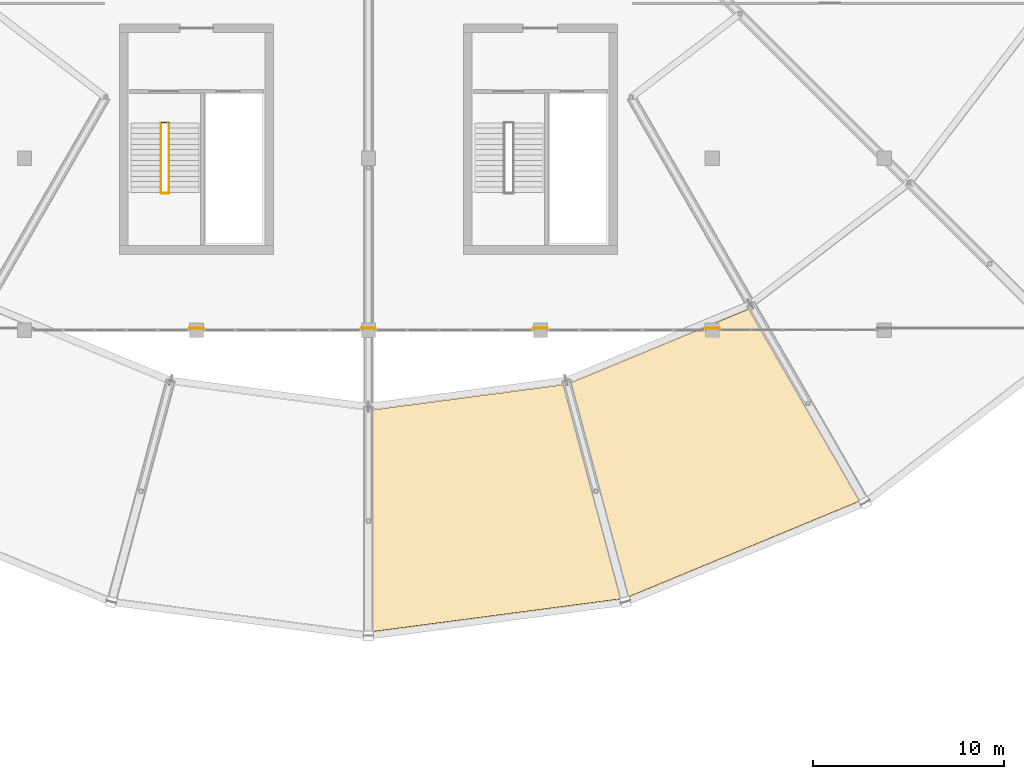
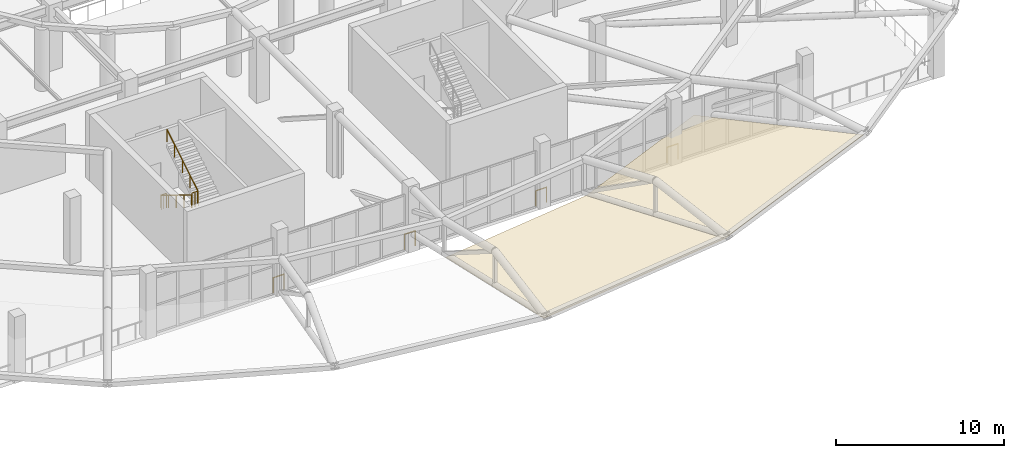
# One storey, part 152 of 167: 8 railings, 2 coverings.
"""IFC4 building model written with IfcOpenShell, lengths in metres."""

from ifc_helpers import new_model, si_unit, direction, frame, origin, origin_2d, place, context, subcontext, project, spatial, polyline, circle, outline, extrude, material, layer, layer_set, type_object, element, save


model = new_model("IFC4")

# Units and contexts
model_context = context("Model", 3, precision=1e-05, world=origin(), true_north=direction((0.0, 1.0)))
body_context = subcontext(model_context, "Body", "Model", "MODEL_VIEW")
ifc_project = project(units=[si_unit("LENGTHUNIT", "METRE"), si_unit("AREAUNIT", "SQUARE_METRE"), si_unit("VOLUMEUNIT", "CUBIC_METRE"), si_unit("PLANEANGLEUNIT", "RADIAN"), si_unit("MASSUNIT", "GRAM", prefix="KILO")], contexts=[model_context])

# Site, building, storey
site_placement = place(None, origin())
site = spatial("IfcSite", under=ifc_project, at=site_placement, CompositionType="ELEMENT")
building_placement = place(site_placement, origin())
building = spatial("IfcBuilding", under=site, at=building_placement, Name="Dornveld Trade and Exhibition Forum", CompositionType="ELEMENT")
storey_placement = place(building_placement, frame((0.0, 0.0, 16.800048828125)))
storey = spatial("IfcBuildingStorey", under=building, at=storey_placement, Name="L03", CompositionType="ELEMENT", Elevation=16.800048828125)

# Coverings
ifc_material_1 = material(Name="Acoustic perforated aluminium soffit panel", Category="aluminium")
ifc_layer = layer(ifc_material_1, 0.044921875)
ifc_layer_set = layer_set([ifc_layer], Name="Acoustic perforated aluminium soffit panel")
covering_type = type_object("IfcCoveringType", Name="COV-SOFFIT-DISC", PredefinedType="CEILING", material=ifc_layer_set)
covering_1_placement = place(storey_placement, frame((117.0, 40.800048828125, 1.9111328125), z_axis=(-0.029133938647, 0.221280443125, 0.97477493767), x_axis=(2.095e-09, -0.975188889038, 0.221374412922)))
element("IfcCovering", 1, at=covering_1_placement, inside=storey, type_object=covering_type, Name="Floating disc conical soffit panel 19", PredefinedType="CEILING", context=body_context, shape_type="SweptSolid", body=[
    extrude(outline(polyline([(0.0, 0.0), (11.89523176062862, 0.0), (10.173890072953098, 13.41243161295085), (-1.3358849529112242, 10.408959472635203), (0.0, 0.0)])), origin(), (0.0, 0.0, -1.0), 0.044921875),
])
covering_2_placement = place(storey_placement, frame((127.404541015625, 42.169921875, 1.9111328125), z_axis=(-0.085410312961, 0.206203115777, 0.974774514174), x_axis=(0.25238718951, -0.941962421802, 0.221376381949)))
element("IfcCovering", 2, at=covering_2_placement, inside=storey, type_object=covering_type, Name="Floating disc conical soffit panel 20", PredefinedType="CEILING", context=body_context, shape_type="SweptSolid", body=[
    extrude(outline(polyline([(0.0, 0.0), (11.895199285569515, -2.3592239273284576e-16), (10.173842295598652, 13.412482319061688), (-1.3357635300827977, 10.408974940773126), (0.0, 0.0)])), origin(), (0.0, 0.0, -1.0), 0.044921875),
])

# Railings
ifc_material_2 = material(Name="Dark-bronze steel and laminated glass balustrade", Category="steel")
railing_type_1 = type_object("IfcRailingType", Name="RL-BALUST-CONC", PredefinedType="BALUSTRADE", material=ifc_material_2)
for number, where, name in (
    (3, (135.37109375, 45.10009765625, 0.0), "L03 deck edge balustrade 193"),
    (4, (126.37109375, 45.10009765625, 0.0), "L03 deck edge balustrade 194"),
    (5, (117.37109375, 45.10009765625, 0.0), "L03 deck edge balustrade 195"),
    (6, (108.37109375, 45.10009765625, 0.0), "L03 deck edge balustrade 196"),
):
    element("IfcRailing", number, at=place(storey_placement, frame(where)), inside=storey, type_object=railing_type_1, Name=name, PredefinedType="BALUSTRADE", context=body_context, shape_type="SweptSolid", body=[
        extrude(circle(Radius=0.02490234375, at=origin_2d()), frame((0.0, 0.0, 1.09521484375), z_axis=(-1.0, 0.0, 0.0), x_axis=(0.0, -1.0, 0.0)), (0.0, 0.0, 1.0), 0.7421875),
        extrude(circle(Radius=0.02099609375, at=origin_2d()), origin(), (0.0, 0.0, 1.0), 1.070068359375),
        extrude(circle(Radius=0.02099609375, at=origin_2d()), frame((-0.7421875, 0.0, 0.0)), (0.0, 0.0, 1.0), 1.070068359375),
    ])
ifc_material_3 = material(Name="Brushed stainless steel handrail", Category="steel")
railing_type_2 = type_object("IfcRailingType", Name="RL-HAND-920", PredefinedType="HANDRAIL", material=ifc_material_3)
railing_1_placement = place(storey_placement, frame((106.139892578125, 55.85009765625, 0.17138671875)))
element("IfcRailing", 7, at=railing_1_placement, inside=storey, type_object=railing_type_2, Name="ST-06-L03 flight 1 handrail", PredefinedType="HANDRAIL", context=body_context, shape_type="SweptSolid", body=[
    extrude(circle(Radius=0.02099609375, at=origin_2d()), frame((0.0, 0.0, 0.89892578125), z_axis=(0.0, -0.852865859571, 0.52213008492), x_axis=(1.0, 0.0, 0.0)), (0.0, 0.0, 1.0), 4.26806640625),
    extrude(circle(Radius=0.01806640625, at=origin_2d()), origin(), (0.0, 0.0, 1.0), 0.8779296875),
    extrude(circle(Radius=0.01806640625, at=origin_2d()), frame((0.0, -0.91015625, 0.55712890625)), (0.0, 0.0, 1.0), 0.8779296875),
    extrude(circle(Radius=0.01806640625, at=origin_2d()), frame((0.0, -1.820068359375, 1.1142578125)), (0.0, 0.0, 1.0), 0.8779296875),
    extrude(circle(Radius=0.01806640625, at=origin_2d()), frame((0.0, -2.72998046875, 1.67138671875)), (0.0, 0.0, 1.0), 0.8779296875),
    extrude(circle(Radius=0.01806640625, at=origin_2d()), frame((0.0, -3.64013671875, 2.228515625)), (0.0, 0.0, 1.0), 0.8779296875),
])
railing_2_placement = place(storey_placement, frame((106.56005859375, 52.2099609375, 2.5712890625)))
element("IfcRailing", 8, at=railing_2_placement, inside=storey, type_object=railing_type_2, Name="ST-06-L03 flight 2 handrail", PredefinedType="HANDRAIL", context=body_context, shape_type="SweptSolid", body=[
    extrude(circle(Radius=0.02099609375, at=origin_2d()), frame((0.0, 0.0, 0.89892578125), z_axis=(0.0, 0.852840387347, 0.522171689878), x_axis=(-1.0, 0.0, 0.0)), (0.0, 0.0, 1.0), 4.268310546875),
    extrude(circle(Radius=0.01806640625, at=origin_2d()), origin(), (0.0, 0.0, 1.0), 0.8779296875),
    extrude(circle(Radius=0.01806640625, at=origin_2d()), frame((0.0, 0.91015625, 0.55712890625)), (0.0, 0.0, 1.0), 0.8779296875),
    extrude(circle(Radius=0.01806640625, at=origin_2d()), frame((0.0, 1.820068359375, 1.1142578125)), (0.0, 0.0, 1.0), 0.8779296875),
    extrude(circle(Radius=0.01806640625, at=origin_2d()), frame((0.0, 2.72998046875, 1.671630859375)), (0.0, 0.0, 1.0), 0.8779296875),
    extrude(circle(Radius=0.01806640625, at=origin_2d()), frame((0.0, 3.64013671875, 2.228759765625)), (0.0, 0.0, 1.0), 0.8779296875),
])
ifc_material_4 = material(Name="Painted steel S355J2 stair-well guard", Category="steel")
railing_type_3 = type_object("IfcRailingType", Name="RL-WELL-110", PredefinedType="GUARDRAIL", material=ifc_material_4)
railing_3_placement = place(storey_placement, frame((106.139892578125, 52.159912109375, 2.39990234375)))
element("IfcRailing", 9, at=railing_3_placement, inside=storey, type_object=railing_type_3, Name="ST-06-L03 half-landing well guard", PredefinedType="GUARDRAIL", context=body_context, shape_type="SweptSolid", body=[
    extrude(circle(Radius=0.02392578125, at=origin_2d()), frame((0.0, 0.0, 1.076171875), z_axis=(1.0, 0.0, 0.0), x_axis=(0.0, 1.0, 0.0)), (0.0, 0.0, 1.0), 0.420166015625),
    extrude(circle(Radius=0.02001953125, at=origin_2d()), origin(), (0.0, 0.0, 1.0), 1.052001953125),
    extrude(circle(Radius=0.02001953125, at=origin_2d()), frame((0.2099609375, 0.0, 0.0)), (0.0, 0.0, 1.0), 1.052001953125),
    extrude(circle(Radius=0.02001953125, at=origin_2d()), frame((0.420166015625, 0.0, 0.0)), (0.0, 0.0, 1.0), 1.052001953125),
])
railing_4_placement = place(storey_placement, frame((106.169921875, 55.8701171875, 0.0)))
element("IfcRailing", 10, at=railing_4_placement, inside=storey, type_object=railing_type_3, Name="CORE-06 L03 stair-slot floor guard", PredefinedType="GUARDRAIL", context=body_context, shape_type="SweptSolid", body=[
    extrude(circle(Radius=0.02392578125, at=origin_2d()), frame((0.0, 0.0, 1.076171875), z_axis=(1.0, 0.0, 0.0), x_axis=(0.0, 1.0, 0.0)), (0.0, 0.0, 1.0), 0.360107421875),
    extrude(circle(Radius=0.02001953125, at=origin_2d()), origin(), (0.0, 0.0, 1.0), 1.052001953125),
    extrude(circle(Radius=0.02001953125, at=origin_2d()), frame((0.18017578125, 0.0, 0.0)), (0.0, 0.0, 1.0), 1.052001953125),
    extrude(circle(Radius=0.02001953125, at=origin_2d()), frame((0.360107421875, 0.0, 0.0)), (0.0, 0.0, 1.0), 1.052001953125),
])

save(model, "model.ifc")
